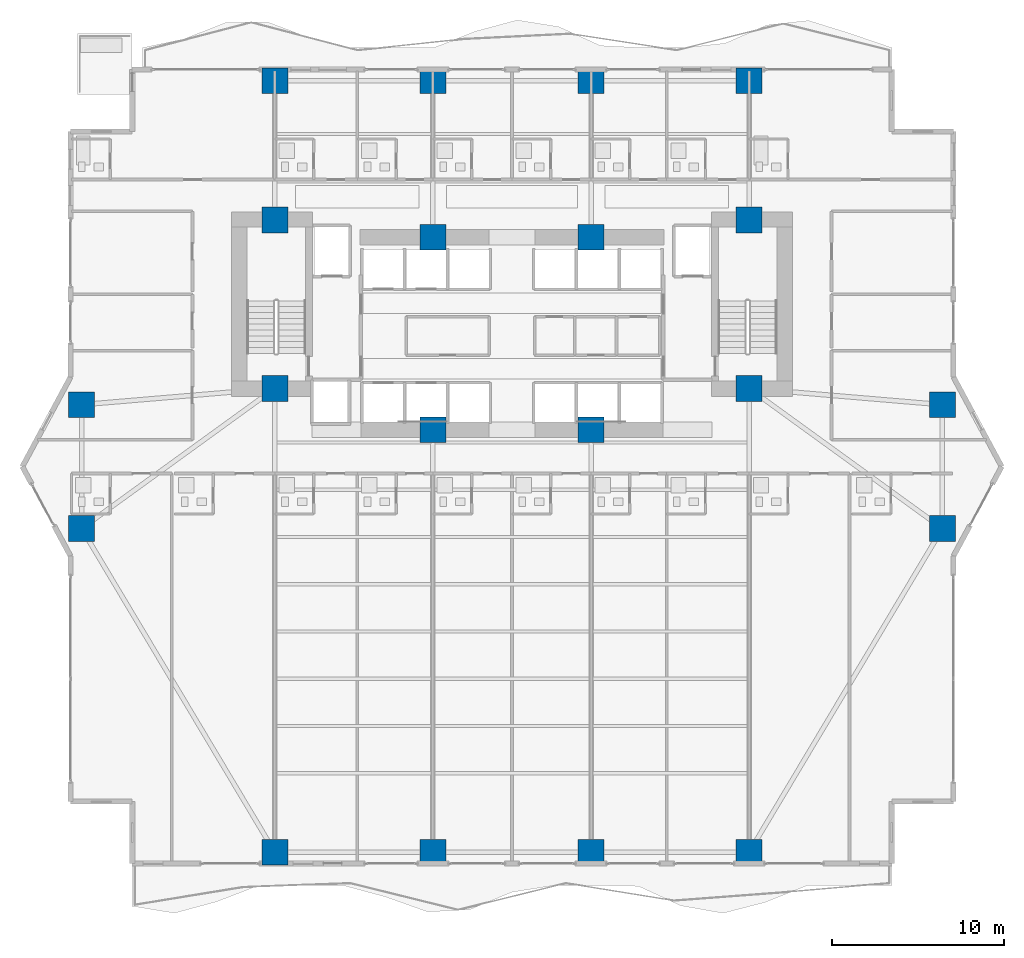
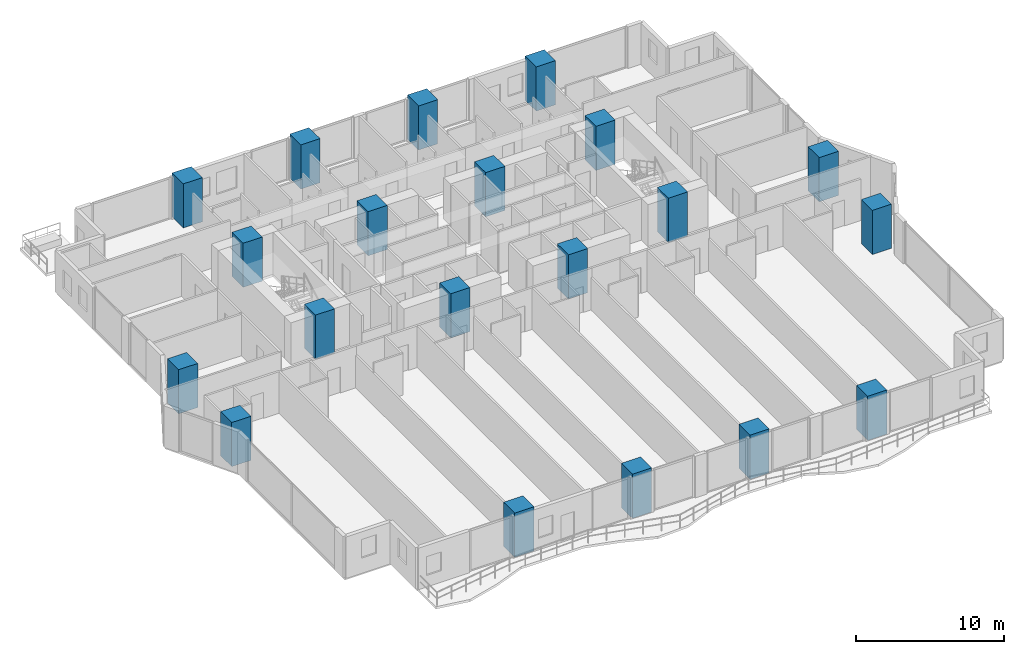
# One storey, part 1 of 29: 20 columns.
"""IFC4 building model written with IfcOpenShell, lengths in metres."""

from ifc_helpers import new_model, si_unit, direction, frame, origin, origin_2d, place, context, subcontext, project, spatial, rectangle, extrude, material, material_profile, profile_set, type_object, element, save


model = new_model("IFC4")

# Units and contexts
model_context = context("Model", 3, precision=1e-05, world=origin(), true_north=direction((0.0, 1.0)))
body_context = subcontext(model_context, "Body", "Model", "MODEL_VIEW")
ifc_project = project(units=[si_unit("LENGTHUNIT", "METRE"), si_unit("AREAUNIT", "SQUARE_METRE"), si_unit("VOLUMEUNIT", "CUBIC_METRE"), si_unit("PLANEANGLEUNIT", "RADIAN"), si_unit("MASSUNIT", "GRAM", prefix="KILO")], contexts=[model_context])

# Site, building, storey
site_placement = place(None, origin())
site = spatial("IfcSite", under=ifc_project, at=site_placement, CompositionType="ELEMENT")
building_placement = place(site_placement, origin())
building = spatial("IfcBuilding", under=site, at=building_placement, Name="Zuhayl Quay Hotel", CompositionType="ELEMENT")
storey_placement = place(building_placement, frame((0.0, 0.0, 67.75)))
storey = spatial("IfcBuildingStorey", under=building, at=storey_placement, Name="L16", CompositionType="ELEMENT", Elevation=67.75)

# Columns
ifc_material = material(Name="Concrete C70/85", Category="concrete")
ifc_material_profile_1 = material_profile(ifc_material, rectangle(XDim=1.5, YDim=1.5, at=origin_2d()), Name="RC1500X1500")
ifc_profile_set_1 = profile_set([ifc_material_profile_1], Name="Concrete C70/85")
column_type_1 = type_object("IfcColumnType", Name="CL_CC1_1500", PredefinedType="COLUMN", material=ifc_profile_set_1)
for number, where, z_axis, x_axis, name in (
    (1, (-13.800048828125, 14.35009765625, 0.0), (0.0, 0.0, 1.0), (1.0, 0.0, 0.0), "L16 Core Column CC_NW"),
    (2, (-4.60009765625, 13.35009765625, 0.0), (0.0, 0.0, 1.0), (1.0, 0.0, 0.0), "L16 Core Column CC_CNW"),
    (3, (4.60009765625, 13.35009765625, 0.0), (0.0, 0.0, 1.0), (1.0, 0.0, 0.0), "L16 Core Column CC_CNE"),
    (4, (13.800048828125, 14.35009765625, 0.0), (0.0, 0.0, 1.0), (1.0, 0.0, 0.0), "L16 Core Column CC_NE"),
    (5, (-13.800048828125, 4.550048828125, 0.0), (0.0, 0.0, 1.0), (1.0, 0.0, 0.0), "L16 Core Column CC_SW"),
    (6, (-4.60009765625, 2.14990234375, 0.0), (0.0, 0.0, 1.0), (1.0, 0.0, 0.0), "L16 Core Column CC_CSW"),
    (7, (4.60009765625, 2.14990234375, 0.0), (0.0, 0.0, 1.0), (1.0, 0.0, 0.0), "L16 Core Column CC_CSE"),
    (8, (13.800048828125, 4.550048828125, 0.0), (0.0, 0.0, 1.0), (1.0, 0.0, 0.0), "L16 Core Column CC_SE"),
):
    element("IfcColumn", number, at=place(storey_placement, frame(where, z_axis=z_axis, x_axis=x_axis)), inside=storey, type_object=column_type_1, Name=name, PredefinedType="COLUMN", context=body_context, shape_type="SweptSolid", body=[
        extrude(rectangle(XDim=1.5, YDim=1.5, at=origin_2d()), origin(), (0.0, 0.0, 1.0), 3.64990234375),
    ])
ifc_material_profile_2 = material_profile(ifc_material, rectangle(XDim=1.5, YDim=1.5, at=origin_2d()), Name="RC1500X1500")
ifc_profile_set_2 = profile_set([ifc_material_profile_2], Name="Concrete C70/85")
column_type_2 = type_object("IfcColumnType", Name="CL_MC1_1500", PredefinedType="COLUMN", material=ifc_profile_set_2)
for number, where, z_axis, x_axis, name in (
    (9, (-13.800048828125, -22.449951171875, 0.0), (0.0, 0.0, 1.0), (1.0, 0.0, 0.0), "L16 Mega-Column MC_S1"),
    (10, (-4.60009765625, -22.449951171875, 0.0), (0.0, 0.0, 1.0), (1.0, 0.0, 0.0), "L16 Mega-Column MC_S2"),
    (11, (4.60009765625, -22.449951171875, 0.0), (0.0, 0.0, 1.0), (1.0, 0.0, 0.0), "L16 Mega-Column MC_S3"),
    (12, (13.800048828125, -22.449951171875, 0.0), (0.0, 0.0, 1.0), (1.0, 0.0, 0.0), "L16 Mega-Column MC_S4"),
    (13, (-13.800048828125, 22.449951171875, 0.0), (0.0, 0.0, 1.0), (1.0, 0.0, 0.0), "L16 Mega-Column MC_N1"),
    (14, (-4.60009765625, 22.449951171875, 0.0), (0.0, 0.0, 1.0), (1.0, 0.0, 0.0), "L16 Mega-Column MC_N2"),
    (15, (4.60009765625, 22.449951171875, 0.0), (0.0, 0.0, 1.0), (1.0, 0.0, 0.0), "L16 Mega-Column MC_N3"),
    (16, (13.800048828125, 22.449951171875, 0.0), (0.0, 0.0, 1.0), (1.0, 0.0, 0.0), "L16 Mega-Column MC_N4"),
    (17, (-25.050048828125, -3.60009765625, 0.0), (0.0, 0.0, 1.0), (1.0, 0.0, 0.0), "L16 Mega-Column MC_W1"),
    (18, (-25.050048828125, 3.60009765625, 0.0), (0.0, 0.0, 1.0), (1.0, 0.0, 0.0), "L16 Mega-Column MC_W2"),
    (19, (25.050048828125, -3.60009765625, 0.0), (0.0, 0.0, 1.0), (1.0, 0.0, 0.0), "L16 Mega-Column MC_E1"),
    (20, (25.050048828125, 3.60009765625, 0.0), (0.0, 0.0, 1.0), (1.0, 0.0, 0.0), "L16 Mega-Column MC_E2"),
):
    element("IfcColumn", number, at=place(storey_placement, frame(where, z_axis=z_axis, x_axis=x_axis)), inside=storey, type_object=column_type_2, Name=name, PredefinedType="COLUMN", context=body_context, shape_type="SweptSolid", body=[
        extrude(rectangle(XDim=1.5, YDim=1.5, at=origin_2d()), origin(), (0.0, 0.0, 1.0), 3.64990234375),
    ])

save(model, "model.ifc")
